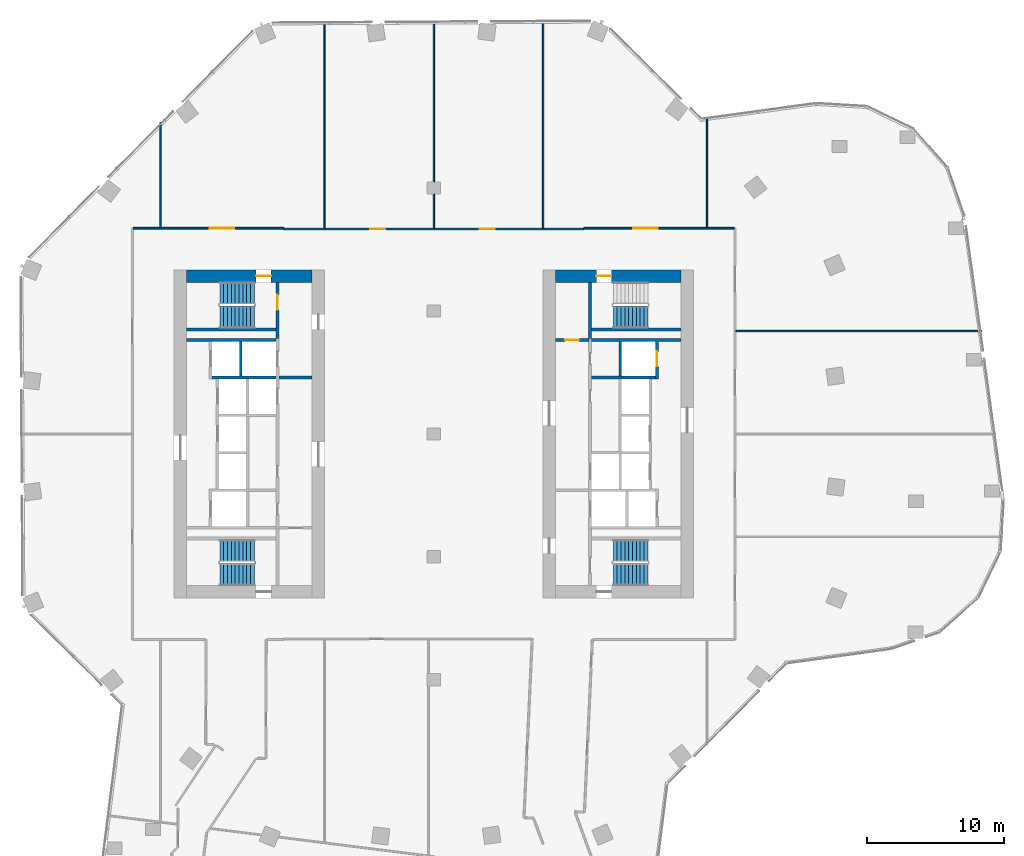
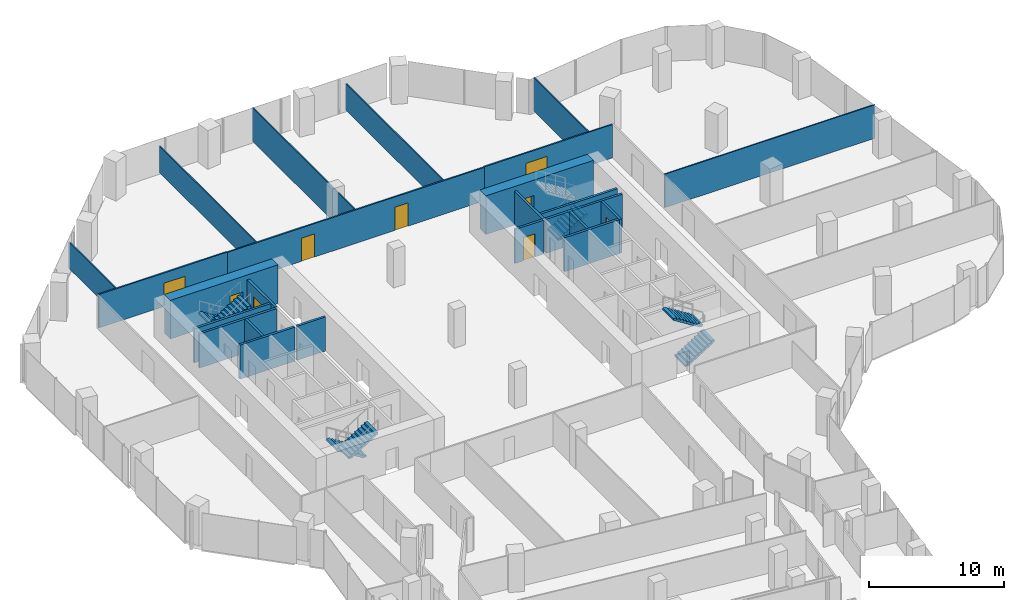
# One storey, part 22 of 27: 24 walls, 9 doors, 7 stair flights, 9 openings, 4 elements without a shape of their own.
"""IFC4 building model written with IfcOpenShell, lengths in metres."""

from ifc_helpers import new_model, si_unit, direction, frame, frame_2d, origin, place, context, subcontext, project, spatial, polyline, rectangle, outline, extrude, material, layer, layer_set, type_object, element, fill, aggregate, save


model = new_model("IFC4")

# Units and contexts
model_context = context("Model", 3, precision=1e-05, world=origin(), true_north=direction((0.0, 1.0)))
body_context = subcontext(model_context, "Body", "Model", "MODEL_VIEW")
ifc_project = project(units=[si_unit("LENGTHUNIT", "METRE"), si_unit("AREAUNIT", "SQUARE_METRE"), si_unit("VOLUMEUNIT", "CUBIC_METRE"), si_unit("PLANEANGLEUNIT", "RADIAN"), si_unit("MASSUNIT", "GRAM", prefix="KILO")], contexts=[model_context])

# Site, building, storey
site_placement = place(None, origin())
site = spatial("IfcSite", under=ifc_project, at=site_placement, CompositionType="ELEMENT")
building_placement = place(site_placement, origin())
building = spatial("IfcBuilding", under=site, at=building_placement, Name="Orlundy Tower", CompositionType="ELEMENT")
storey_placement = place(building_placement, frame((0.0, 0.0, 199.10009765625)))
storey = spatial("IfcBuildingStorey", under=building, at=storey_placement, Name="L52", CompositionType="ELEMENT", Elevation=199.10009765625)

# Wall, opening, door
ifc_material_1 = material(Name="Concrete C70/85", Category="concrete")
ifc_layer_1 = layer(ifc_material_1, 0.89990234375)
ifc_layer_set_1 = layer_set([ifc_layer_1], Name="CORE WALL 900 C70/85")
wall_type_1 = type_object("IfcWallType", Name="CORE WALL 900 C70/85", PredefinedType="SHEAR", material=ifc_layer_set_1)
wall_1_placement = place(storey_placement, frame((-18.10009765625, 11.550048828125, 0.0), z_axis=(0.0, 0.0, 1.0), x_axis=(1.0, 0.0, 0.0)))
wall_1 = element("IfcWall", 1, at=wall_1_placement, inside=storey, type_object=wall_type_1, Name="Core wall W-N L52", PredefinedType="SHEAR", context=body_context, shape_type="SweptSolid", body=[
    extrude(rectangle(XDim=9.2001953125, YDim=0.89990234375, at=frame_2d((4.60009765625, 0.0))), origin(), (0.0, 0.0, 1.0), 3.5),
])
opening_1_placement = place(wall_1_placement, frame((5.10009765625, 0.0, 0.0)))
opening_1 = element("IfcOpeningElement", 2, at=opening_1_placement, cuts=wall_1, Name="Opening 40012", PredefinedType="OPENING", context=body_context, shape_type="SweptSolid", body=[
    extrude(rectangle(XDim=1.10009765625, YDim=2.10009765625, at=frame_2d((0.550048828125, 1.050048828125))), frame((0.0, 0.4599609375, 0.0), z_axis=(0.0, -1.0, 0.0), x_axis=(1.0, 0.0, 0.0)), (0.0, 0.0, 1.0), 0.919921875),
])
ifc_material_2 = material(Name="Steel door set", Category="steel")
door_type_1 = type_object("IfcDoorType", Name="Stair Door 1100x2100", OperationType="SINGLE_SWING_LEFT", PredefinedType="DOOR", material=ifc_material_2)
door_1_placement = place(opening_1_placement, origin())
door_1 = element("IfcDoor", 3, at=door_1_placement, inside=storey, type_object=door_type_1, Name="Stair door 40012", OperationType="SINGLE_SWING_RIGHT", OverallHeight=2.10009765625, OverallWidth=1.10009765625, PredefinedType="DOOR", context=body_context, shape_type="SweptSolid", body=[
    extrude(rectangle(XDim=1.10009765625, YDim=2.10009765625, at=frame_2d((0.550048828125, 1.050048828125))), frame((0.0, 0.02490234375, 0.0), z_axis=(0.0, -1.0, 0.0), x_axis=(1.0, 0.0, 0.0)), (0.0, 0.0, 1.0), 0.050048828125),
])
fill(opening_1, door_1)

wall_2_placement = place(storey_placement, frame((8.89990234375, 11.550048828125, 0.0), z_axis=(0.0, 0.0, 1.0), x_axis=(1.0, 0.0, 0.0)))
wall_2 = element("IfcWall", 4, at=wall_2_placement, inside=storey, type_object=wall_type_1, Name="Core wall E-N L52", PredefinedType="SHEAR", context=body_context, shape_type="SweptSolid", body=[
    extrude(rectangle(XDim=9.2001953125, YDim=0.89990234375, at=frame_2d((4.60009765625, 0.0))), origin(), (0.0, 0.0, 1.0), 3.5),
])
opening_2_placement = place(wall_2_placement, frame((3.0, 0.0, 0.0)))
opening_2 = element("IfcOpeningElement", 5, at=opening_2_placement, cuts=wall_2, Name="Opening 40062", PredefinedType="OPENING", context=body_context, shape_type="SweptSolid", body=[
    extrude(rectangle(XDim=1.10009765625, YDim=2.10009765625, at=frame_2d((0.550048828125, 1.050048828125))), frame((0.0, 0.4599609375, 0.0), z_axis=(0.0, -1.0, 0.0), x_axis=(1.0, 0.0, 0.0)), (0.0, 0.0, 1.0), 0.919921875),
])
door_2_placement = place(opening_2_placement, origin())
door_2 = element("IfcDoor", 6, at=door_2_placement, inside=storey, type_object=door_type_1, Name="Stair door 40062", OperationType="SINGLE_SWING_LEFT", OverallHeight=2.10009765625, OverallWidth=1.10009765625, PredefinedType="DOOR", context=body_context, shape_type="SweptSolid", body=[
    extrude(rectangle(XDim=1.10009765625, YDim=2.10009765625, at=frame_2d((0.550048828125, 1.050048828125))), frame((0.0, 0.02490234375, 0.0), z_axis=(0.0, -1.0, 0.0), x_axis=(1.0, 0.0, 0.0)), (0.0, 0.0, 1.0), 0.050048828125),
])
fill(opening_2, door_2)

# Walls
ifc_material_3 = material(Name="Gypsum board partition")
ifc_layer_2 = layer(ifc_material_3, 0.10009765625)
ifc_layer_set_2 = layer_set([ifc_layer_2], Name="Floor partition 100")
wall_type_2 = type_object("IfcWallType", Name="Floor partition 100", PredefinedType="PARTITIONING", material=ifc_layer_set_2)
wall_3_placement = place(storey_placement, frame((22.113037109375, 7.52392578125, 0.0), z_axis=(0.0, 0.0, 1.0), x_axis=(1.0, 0.0, 0.0)))
element("IfcWall", 7, at=wall_3_placement, inside=storey, type_object=wall_type_2, Name="wall-int-L52-037", PredefinedType="PARTITIONING", context=body_context, shape_type="SweptSolid", body=[
    extrude(rectangle(XDim=17.98486328125, YDim=0.10009765625, at=frame_2d((8.992431640625, 0.0))), origin(), (0.0, 0.0, 1.0), 3.02978515625),
])
wall_4_placement = place(storey_placement, frame((20.0, 15.114013671875, 0.0), z_axis=(0.0, 0.0, 1.0), x_axis=(0.0, 1.0, 0.0)))
element("IfcWall", 8, at=wall_4_placement, inside=storey, type_object=wall_type_2, Name="wall-int-L52-066", PredefinedType="PARTITIONING", context=body_context, shape_type="SweptSolid", body=[
    extrude(rectangle(XDim=8.077880859375, YDim=0.10009765625, at=frame_2d((4.0390625, 0.0))), origin(), (0.0, 0.0, 1.0), 3.02978515625),
])
wall_5_placement = place(storey_placement, frame((0.0, 15.06298828125, 0.0), z_axis=(0.0, 0.0, 1.0), x_axis=(0.0, 1.0, 0.0)))
element("IfcWall", 9, at=wall_5_placement, inside=storey, type_object=wall_type_2, Name="wall-int-L52-069", PredefinedType="PARTITIONING", context=body_context, shape_type="SweptSolid", body=[
    extrude(rectangle(XDim=15.18798828125, YDim=0.10009765625, at=frame_2d((7.593994140625, 0.0))), origin(), (0.0, 0.0, 1.0), 3.02978515625),
])
ifc_material_4 = material(Name="Gypsum board partition")
ifc_layer_3 = layer(ifc_material_4, 0.10009765625)
ifc_layer_set_3 = layer_set([ifc_layer_3], Name="Floor partition 100 B")
wall_type_3 = type_object("IfcWallType", Name="Floor partition 100 B", PredefinedType="PARTITIONING", material=ifc_layer_set_3)
wall_6_placement = place(storey_placement, frame((8.0, 15.06298828125, 0.0), z_axis=(0.0, 0.0, 1.0), x_axis=(0.0, 1.0, 0.0)))
element("IfcWall", 10, at=wall_6_placement, inside=storey, type_object=wall_type_3, Name="wall-int-L52-067", PredefinedType="PARTITIONING", context=body_context, shape_type="SweptSolid", body=[
    extrude(rectangle(XDim=15.234130859375, YDim=0.10009765625, at=frame_2d((7.6171875, 0.0))), origin(), (0.0, 0.0, 1.0), 2.39501953125),
])
wall_7_placement = place(storey_placement, frame((-8.0, 15.06298828125, 0.0), z_axis=(0.0, 0.0, 1.0), x_axis=(0.0, 1.0, 0.0)))
element("IfcWall", 11, at=wall_7_placement, inside=storey, type_object=wall_type_3, Name="wall-int-L52-072", PredefinedType="PARTITIONING", context=body_context, shape_type="SweptSolid", body=[
    extrude(rectangle(XDim=15.14111328125, YDim=0.10009765625, at=frame_2d((7.570556640625, 0.0))), origin(), (0.0, 0.0, 1.0), 2.39501953125),
])
wall_8_placement = place(storey_placement, frame((-20.0, 15.114013671875, 0.0), z_axis=(0.0, 0.0, 1.0), x_axis=(0.0, 1.0, 0.0)))
element("IfcWall", 12, at=wall_8_placement, inside=storey, type_object=wall_type_3, Name="wall-int-L52-076", PredefinedType="PARTITIONING", context=body_context, shape_type="SweptSolid", body=[
    extrude(rectangle(XDim=7.68310546875, YDim=0.10009765625, at=frame_2d((3.841552734375, 0.0))), origin(), (0.0, 0.0, 1.0), 2.39501953125),
])

# Wall, openings, doors
ifc_material_5 = material(Name="Gypsum board partition, double layer")
ifc_layer_4 = layer(ifc_material_5, 0.125)
ifc_layer_set_4 = layer_set([ifc_layer_4], Name="Floor partition 125")
wall_type_4 = type_object("IfcWallType", Name="Floor partition 125", PredefinedType="PARTITIONING", material=ifc_layer_set_4)
wall_9_placement = place(storey_placement, frame((-10.989990234375, 15.0009765625, 0.0), z_axis=(0.0, 0.0, 1.0), x_axis=(1.0, 0.0, 0.0)))
wall_9 = element("IfcWall", 13, at=wall_9_placement, inside=storey, type_object=wall_type_4, Name="wall-int-L52-038", PredefinedType="PARTITIONING", context=body_context, shape_type="SweptSolid", body=[
    extrude(rectangle(XDim=21.97998046875, YDim=0.125, at=frame_2d((10.989990234375, 0.0))), origin(), (0.0, 0.0, 1.0), 3.02978515625),
])
opening_3_placement = place(wall_9_placement, frame((14.340087890625, 0.0, 0.0)))
opening_3 = element("IfcOpeningElement", 14, at=opening_3_placement, cuts=wall_9, Name="Opening 40123", PredefinedType="OPENING", context=body_context, shape_type="SweptSolid", body=[
    extrude(rectangle(XDim=1.10009765625, YDim=2.10009765625, at=frame_2d((0.550048828125, 1.050048828125))), frame((0.0, 0.072509765625, 0.0), z_axis=(0.0, -1.0, 0.0), x_axis=(1.0, 0.0, 0.0)), (0.0, 0.0, 1.0), 0.14501953125),
])
opening_4_placement = place(wall_9_placement, frame((6.340087890625, 0.0, 0.0)))
opening_4 = element("IfcOpeningElement", 15, at=opening_4_placement, cuts=wall_9, Name="Opening 40124", PredefinedType="OPENING", context=body_context, shape_type="SweptSolid", body=[
    extrude(rectangle(XDim=1.10009765625, YDim=2.10009765625, at=frame_2d((0.550048828125, 1.050048828125))), frame((0.0, 0.072509765625, 0.0), z_axis=(0.0, -1.0, 0.0), x_axis=(1.0, 0.0, 0.0)), (0.0, 0.0, 1.0), 0.14501953125),
])
ifc_material_6 = material(Name="Timber door leaf", Category="wood")
door_type_2 = type_object("IfcDoorType", Name="Floor door xwide 1100 FD30S", OperationType="NOTDEFINED", PredefinedType="DOOR", material=ifc_material_6)
door_3_placement = place(opening_3_placement, origin())
door_3 = element("IfcDoor", 16, at=door_3_placement, inside=storey, type_object=door_type_2, Name="Door 40123", OperationType="SINGLE_SWING_RIGHT", OverallHeight=2.10009765625, OverallWidth=1.10009765625, PredefinedType="DOOR", context=body_context, shape_type="SweptSolid", body=[
    extrude(rectangle(XDim=1.10009765625, YDim=2.10009765625, at=frame_2d((0.550048828125, 1.050048828125))), frame((0.0, 0.02490234375, 0.0), z_axis=(0.0, -1.0, 0.0), x_axis=(1.0, 0.0, 0.0)), (0.0, 0.0, 1.0), 0.050048828125),
])
fill(opening_3, door_3)
door_4_placement = place(opening_4_placement, origin())
door_4 = element("IfcDoor", 17, at=door_4_placement, inside=storey, type_object=door_type_2, Name="Door 40124", OperationType="SINGLE_SWING_LEFT", OverallHeight=2.10009765625, OverallWidth=1.10009765625, PredefinedType="DOOR", context=body_context, shape_type="SweptSolid", body=[
    extrude(rectangle(XDim=1.10009765625, YDim=2.10009765625, at=frame_2d((0.550048828125, 1.050048828125))), frame((0.0, 0.02490234375, 0.0), z_axis=(0.0, -1.0, 0.0), x_axis=(1.0, 0.0, 0.0)), (0.0, 0.0, 1.0), 0.050048828125),
])
fill(opening_4, door_4)

# Wall, opening, door
wall_10_placement = place(storey_placement, frame((-21.988037109375, 15.051025390625, 0.0), z_axis=(0.0, 0.0, 1.0), x_axis=(1.0, 0.0, 0.0)))
wall_10 = element("IfcWall", 18, at=wall_10_placement, inside=storey, type_object=wall_type_4, Name="wall-int-L52-039", PredefinedType="PARTITIONING", context=body_context, shape_type="SweptSolid", body=[
    extrude(rectangle(XDim=10.9970703125, YDim=0.125, at=frame_2d((5.49853515625, 0.0))), origin(), (0.0, 0.0, 1.0), 3.02978515625),
])
opening_5_placement = place(wall_10_placement, frame((5.58740234375, 0.0, 0.0)))
opening_5 = element("IfcOpeningElement", 19, at=opening_5_placement, cuts=wall_10, Name="Opening 40125", PredefinedType="OPENING", context=body_context, shape_type="SweptSolid", body=[
    extrude(rectangle(XDim=1.800048828125, YDim=2.10009765625, at=frame_2d((0.89990234375, 1.050048828125))), frame((0.0, 0.072509765625, 0.0), z_axis=(0.0, -1.0, 0.0), x_axis=(1.0, 0.0, 0.0)), (0.0, 0.0, 1.0), 0.14501953125),
])
ifc_material_7 = material(Name="Timber door leaf", Category="wood")
door_type_3 = type_object("IfcDoorType", Name="Floor door double 1800 FD30S", OperationType="NOTDEFINED", PredefinedType="DOOR", material=ifc_material_7)
door_5_placement = place(opening_5_placement, origin())
door_5 = element("IfcDoor", 20, at=door_5_placement, inside=storey, type_object=door_type_3, Name="Door 40125", OperationType="DOUBLE_DOOR_SINGLE_SWING", OverallHeight=2.10009765625, OverallWidth=1.800048828125, PredefinedType="DOOR", context=body_context, shape_type="SweptSolid", body=[
    extrude(rectangle(XDim=1.800048828125, YDim=2.10009765625, at=frame_2d((0.89990234375, 1.050048828125))), frame((0.0, 0.02490234375, 0.0), z_axis=(0.0, -1.0, 0.0), x_axis=(1.0, 0.0, 0.0)), (0.0, 0.0, 1.0), 0.050048828125),
])
fill(opening_5, door_5)

wall_11_placement = place(storey_placement, frame((10.990966796875, 15.051025390625, 0.0), z_axis=(0.0, 0.0, 1.0), x_axis=(1.0, 0.0, 0.0)))
wall_11 = element("IfcWall", 21, at=wall_11_placement, inside=storey, type_object=wall_type_4, Name="wall-int-L52-040", PredefinedType="PARTITIONING", context=body_context, shape_type="SweptSolid", body=[
    extrude(rectangle(XDim=10.9970703125, YDim=0.125, at=frame_2d((5.49853515625, 0.0))), origin(), (0.0, 0.0, 1.0), 3.02978515625),
])
opening_6_placement = place(wall_11_placement, frame((3.60009765625, 0.0, 0.0)))
opening_6 = element("IfcOpeningElement", 22, at=opening_6_placement, cuts=wall_11, Name="Opening 40122", PredefinedType="OPENING", context=body_context, shape_type="SweptSolid", body=[
    extrude(rectangle(XDim=1.800048828125, YDim=2.10009765625, at=frame_2d((0.89990234375, 1.050048828125))), frame((0.0, 0.072509765625, 0.0), z_axis=(0.0, -1.0, 0.0), x_axis=(1.0, 0.0, 0.0)), (0.0, 0.0, 1.0), 0.14501953125),
])
door_6_placement = place(opening_6_placement, origin())
door_6 = element("IfcDoor", 23, at=door_6_placement, inside=storey, type_object=door_type_3, Name="Door 40122", OperationType="DOUBLE_DOOR_SINGLE_SWING", OverallHeight=2.10009765625, OverallWidth=1.800048828125, PredefinedType="DOOR", context=body_context, shape_type="SweptSolid", body=[
    extrude(rectangle(XDim=1.800048828125, YDim=2.10009765625, at=frame_2d((0.89990234375, 1.050048828125))), frame((0.0, 0.02490234375, 0.0), z_axis=(0.0, -1.0, 0.0), x_axis=(1.0, 0.0, 0.0)), (0.0, 0.0, 1.0), 0.050048828125),
])
fill(opening_6, door_6)

ifc_material_8 = material(Name="Concrete C40/50", Category="concrete")
ifc_layer_5 = layer(ifc_material_8, 0.199951171875)
ifc_layer_set_5 = layer_set([ifc_layer_5], Name="Load-bearing Shaft Wall 200")
wall_type_5 = type_object("IfcWallType", Name="Load-bearing Shaft Wall 200", PredefinedType="SOLIDWALL", material=ifc_layer_set_5)
wall_12_placement = place(storey_placement, frame((-11.43994140625, 6.97509765625, 0.0), z_axis=(0.0, 0.0, 1.0), x_axis=(0.0, 1.0, 0.0)))
wall_12 = element("IfcWall", 24, at=wall_12_placement, inside=storey, type_object=wall_type_5, Name="Shaft wall W40-stair-end-n", PredefinedType="SOLIDWALL", context=body_context, shape_type="SweptSolid", body=[
    extrude(rectangle(XDim=4.125, YDim=0.199951171875, at=frame_2d((2.0625, 0.0))), origin(), (0.0, 0.0, 1.0), 3.079833984375),
])
opening_7_placement = place(wall_12_placement, frame((2.10009765625, 0.0, 0.0)))
opening_7 = element("IfcOpeningElement", 25, at=opening_7_placement, cuts=wall_12, Name="Opening 40014", PredefinedType="OPENING", context=body_context, shape_type="SweptSolid", body=[
    extrude(rectangle(XDim=1.10009765625, YDim=2.10009765625, at=frame_2d((0.550048828125, 1.050048828125))), frame((0.0, 0.110107421875, 0.0), z_axis=(0.0, -1.0, 0.0), x_axis=(1.0, 0.0, 0.0)), (0.0, 0.0, 1.0), 0.22021484375),
])
ifc_material_9 = material(Name="Steel door set", Category="steel")
door_type_4 = type_object("IfcDoorType", Name="Fire-fighting Lobby Door 1100x2100", OperationType="SINGLE_SWING_LEFT", PredefinedType="DOOR", material=ifc_material_9)
door_7_placement = place(opening_7_placement, origin())
door_7 = element("IfcDoor", 26, at=door_7_placement, inside=storey, type_object=door_type_4, Name="Fire-fighting lobby to stair door 40014", OperationType="SINGLE_SWING_RIGHT", OverallHeight=2.10009765625, OverallWidth=1.10009765625, PredefinedType="DOOR", context=body_context, shape_type="SweptSolid", body=[
    extrude(rectangle(XDim=1.10009765625, YDim=2.10009765625, at=frame_2d((0.550048828125, 1.050048828125))), frame((0.0, 0.02490234375, 0.0), z_axis=(0.0, -1.0, 0.0), x_axis=(1.0, 0.0, 0.0)), (0.0, 0.0, 1.0), 0.050048828125),
])
fill(opening_7, door_7)

# Walls
for number, where, z_axis, x_axis, name in (
    (27, (-11.5400390625, 7.64990234375, 0.0), (0.0, 0.0, 1.0), (-1.0, 0.0, 0.0), "Shaft wall W40-stair-side-n"),
    (28, (11.5400390625, 6.875, 0.0), (0.0, 0.0, 1.0), (1.0, 0.0, 0.0), "Shaft wall E40-zone-s"),
):
    element("IfcWall", number, at=place(storey_placement, frame(where, z_axis=z_axis, x_axis=x_axis)), inside=storey, type_object=wall_type_5, Name=name, PredefinedType="SOLIDWALL", context=body_context, shape_type="SweptSolid", body=[
        extrude(rectangle(XDim=6.56005859375, YDim=0.199951171875, at=frame_2d((3.280029296875, 0.0))), origin(), (0.0, 0.0, 1.0), 3.079833984375),
    ])
wall_13_placement = place(storey_placement, frame((11.5400390625, 4.125, 0.0), z_axis=(0.0, 0.0, 1.0), x_axis=(1.0, 0.0, 0.0)))
element("IfcWall", 29, at=wall_13_placement, inside=storey, type_object=wall_type_5, Name="Shaft wall E40-cross-4.125", PredefinedType="SOLIDWALL", context=body_context, shape_type="SweptSolid", body=[
    extrude(rectangle(XDim=4.699951171875, YDim=0.199951171875, at=frame_2d((2.35009765625, 0.0))), origin(), (0.0, 0.0, 1.0), 3.079833984375),
])
wall_14_placement = place(storey_placement, frame((13.639892578125, 6.77490234375, 0.0), z_axis=(0.0, 0.0, 1.0), x_axis=(0.0, -1.0, 0.0)))
element("IfcWall", 30, at=wall_14_placement, inside=storey, type_object=wall_type_5, Name="Shaft wall E40-mid-a", PredefinedType="SOLIDWALL", context=body_context, shape_type="SweptSolid", body=[
    extrude(rectangle(XDim=2.5498046875, YDim=0.199951171875, at=frame_2d((1.27490234375, 0.0))), origin(), (0.0, 0.0, 1.0), 3.079833984375),
])
wall_15_placement = place(storey_placement, frame((11.43994140625, 11.10009765625, 0.0), z_axis=(0.0, 0.0, 1.0), x_axis=(0.0, -1.0, 0.0)))
element("IfcWall", 31, at=wall_15_placement, inside=storey, type_object=wall_type_5, Name="Shaft wall E40-stair-end-s", PredefinedType="SOLIDWALL", context=body_context, shape_type="SweptSolid", body=[
    extrude(rectangle(XDim=4.125, YDim=0.199951171875, at=frame_2d((2.0625, 0.0))), origin(), (0.0, 0.0, 1.0), 3.079833984375),
])
wall_16_placement = place(storey_placement, frame((11.5400390625, 7.64990234375, 0.0), z_axis=(0.0, 0.0, 1.0), x_axis=(1.0, 0.0, 0.0)))
element("IfcWall", 32, at=wall_16_placement, inside=storey, type_object=wall_type_5, Name="Shaft wall E40-stair-side-s", PredefinedType="SOLIDWALL", context=body_context, shape_type="SweptSolid", body=[
    extrude(rectangle(XDim=6.56005859375, YDim=0.199951171875, at=frame_2d((3.280029296875, 0.0))), origin(), (0.0, 0.0, 1.0), 3.079833984375),
])
ifc_material_10 = material(Name="Gypsum board partition on steel studs", Category="steel")
ifc_layer_6 = layer(ifc_material_10, 0.199951171875)
ifc_layer_set_6 = layer_set([ifc_layer_6], Name="Partition 200")
wall_type_6 = type_object("IfcWallType", Name="Partition 200", PredefinedType="PARTITIONING", material=ifc_layer_set_6)
wall_17_placement = place(storey_placement, frame((-8.89990234375, 4.125, 0.0), z_axis=(0.0, 0.0, 1.0), x_axis=(-1.0, 0.0, 0.0)))
element("IfcWall", 33, at=wall_17_placement, inside=storey, type_object=wall_type_6, Name="Partition wall W40-lobby-n", PredefinedType="PARTITIONING", context=body_context, shape_type="SweptSolid", body=[
    extrude(rectangle(XDim=2.440185546875, YDim=0.199951171875, at=frame_2d((1.22021484375, 0.0))), origin(), (0.0, 0.0, 1.0), 3.079833984375),
])

# Wall, opening, door
wall_18_placement = place(storey_placement, frame((8.89990234375, 6.875, 0.0), z_axis=(0.0, 0.0, 1.0), x_axis=(1.0, 0.0, 0.0)))
wall_18 = element("IfcWall", 34, at=wall_18_placement, inside=storey, type_object=wall_type_6, Name="Partition wall E40-end-s", PredefinedType="PARTITIONING", context=body_context, shape_type="SweptSolid", body=[
    extrude(rectangle(XDim=2.440185546875, YDim=0.199951171875, at=frame_2d((1.22021484375, 0.0))), origin(), (0.0, 0.0, 1.0), 3.079833984375),
])
opening_8_placement = place(wall_18_placement, frame((0.719970703125, 0.0, 0.0)))
opening_8 = element("IfcOpeningElement", 35, at=opening_8_placement, cuts=wall_18, Name="Opening 40064", PredefinedType="OPENING", context=body_context, shape_type="SweptSolid", body=[
    extrude(rectangle(XDim=1.0, YDim=2.10009765625, at=frame_2d((0.5, 1.050048828125))), frame((0.0, 0.110107421875, 0.0), z_axis=(0.0, -1.0, 0.0), x_axis=(1.0, 0.0, 0.0)), (0.0, 0.0, 1.0), 0.22021484375),
])
ifc_material_11 = material(Name="Timber door set", Category="wood")
door_type_5 = type_object("IfcDoorType", Name="Accessible Door 1000x2100", OperationType="SINGLE_SWING_LEFT", PredefinedType="DOOR", material=ifc_material_11)
door_8_placement = place(opening_8_placement, origin())
door_8 = element("IfcDoor", 36, at=door_8_placement, inside=storey, type_object=door_type_5, Name="Accessible WC door 40064", OperationType="SINGLE_SWING_RIGHT", OverallHeight=2.10009765625, OverallWidth=1.0, PredefinedType="DOOR", context=body_context, shape_type="SweptSolid", body=[
    extrude(rectangle(XDim=1.0, YDim=2.10009765625, at=frame_2d((0.5, 1.050048828125))), frame((0.0, 0.02490234375, 0.0), z_axis=(0.0, -1.0, 0.0), x_axis=(1.0, 0.0, 0.0)), (0.0, 0.0, 1.0), 0.050048828125),
])
fill(opening_8, door_8)

# Walls
ifc_material_12 = material(Name="Fire-rated blockwork shaft wall", Category="masonry")
ifc_layer_7 = layer(ifc_material_12, 0.199951171875)
ifc_layer_set_7 = layer_set([ifc_layer_7], Name="Shaft Wall 200")
wall_type_7 = type_object("IfcWallType", Name="Shaft Wall 200", PredefinedType="SOLIDWALL", material=ifc_layer_set_7)
wall_19_placement = place(storey_placement, frame((-11.5400390625, 6.875, 0.0), z_axis=(0.0, 0.0, 1.0), x_axis=(-1.0, 0.0, 0.0)))
element("IfcWall", 37, at=wall_19_placement, inside=storey, type_object=wall_type_7, Name="Shaft wall W40-zone-n", PredefinedType="SOLIDWALL", context=body_context, shape_type="SweptSolid", body=[
    extrude(rectangle(XDim=6.56005859375, YDim=0.199951171875, at=frame_2d((3.280029296875, 0.0))), origin(), (0.0, 0.0, 1.0), 3.079833984375),
])
wall_20_placement = place(storey_placement, frame((-11.5400390625, 4.125, 0.0), z_axis=(0.0, 0.0, 1.0), x_axis=(-1.0, 0.0, 0.0)))
element("IfcWall", 38, at=wall_20_placement, inside=storey, type_object=wall_type_7, Name="Shaft wall W40-cross+4.125", PredefinedType="SOLIDWALL", context=body_context, shape_type="SweptSolid", body=[
    extrude(rectangle(XDim=4.699951171875, YDim=0.199951171875, at=frame_2d((2.35009765625, 0.0))), origin(), (0.0, 0.0, 1.0), 3.079833984375),
])
wall_21_placement = place(storey_placement, frame((-14.139892578125, 4.22509765625, 0.0), z_axis=(0.0, 0.0, 1.0), x_axis=(0.0, 1.0, 0.0)))
element("IfcWall", 39, at=wall_21_placement, inside=storey, type_object=wall_type_7, Name="Shaft wall W40-mid-b", PredefinedType="SOLIDWALL", context=body_context, shape_type="SweptSolid", body=[
    extrude(rectangle(XDim=2.5498046875, YDim=0.199951171875, at=frame_2d((1.27490234375, 0.0))), origin(), (0.0, 0.0, 1.0), 3.079833984375),
])

# Wall, opening, door
wall_22_placement = place(storey_placement, frame((16.340087890625, 6.77490234375, 0.0), z_axis=(0.0, 0.0, 1.0), x_axis=(0.0, -1.0, 0.0)))
wall_22 = element("IfcWall", 40, at=wall_22_placement, inside=storey, type_object=wall_type_7, Name="Shaft wall E40-front-o-a", PredefinedType="SOLIDWALL", context=body_context, shape_type="SweptSolid", body=[
    extrude(rectangle(XDim=2.75, YDim=0.199951171875, at=frame_2d((1.375, 0.0))), origin(), (0.0, 0.0, 1.0), 3.079833984375),
])
opening_9_placement = place(wall_22_placement, frame((0.72509765625, 0.0, 0.0)))
opening_9 = element("IfcOpeningElement", 41, at=opening_9_placement, cuts=wall_22, Name="Opening 40050", PredefinedType="OPENING", context=body_context, shape_type="SweptSolid", body=[
    extrude(rectangle(XDim=1.10009765625, YDim=2.10009765625, at=frame_2d((0.550048828125, 1.050048828125))), frame((0.0, 0.110107421875, 0.0), z_axis=(0.0, -1.0, 0.0), x_axis=(1.0, 0.0, 0.0)), (0.0, 0.0, 1.0), 0.22021484375),
])
ifc_material_13 = material(Name="Steel door set", Category="steel")
door_type_6 = type_object("IfcDoorType", Name="Landing Door 1100x2100", OperationType="DOUBLE_DOOR_SLIDING", PredefinedType="DOOR", material=ifc_material_13)
door_9_placement = place(opening_9_placement, origin())
door_9 = element("IfcDoor", 42, at=door_9_placement, inside=storey, type_object=door_type_6, Name="Lift landing door LV-02 40050", OperationType="DOUBLE_DOOR_SLIDING", OverallHeight=2.10009765625, OverallWidth=1.10009765625, PredefinedType="DOOR", context=body_context, shape_type="SweptSolid", body=[
    extrude(rectangle(XDim=1.10009765625, YDim=2.10009765625, at=frame_2d((0.550048828125, 1.050048828125))), frame((0.0, 0.02490234375, 0.0), z_axis=(0.0, -1.0, 0.0), x_axis=(1.0, 0.0, 0.0)), (0.0, 0.0, 1.0), 0.050048828125),
])
fill(opening_9, door_9)

# Stair, stair flights
ifc_material_14 = material(Name="Concrete C50/60", Category="concrete")
stair_type = type_object("IfcStairType", Name="Exit Stair 20 risers", PredefinedType="HALF_TURN_STAIR", material=ifc_material_14)
stair_1_placement = place(storey_placement, origin())
stair_1 = element("IfcStair", 43, at=stair_1_placement, inside=storey, type_object=stair_type, Name="L52 Exit Stair ST-W1", PredefinedType="HALF_TURN_STAIR")
ifc_material_15 = material(Name="Concrete C50/60", Category="concrete")
stair_flight_type = type_object("IfcStairFlightType", Name="Stair Flight 10 risers", PredefinedType="STRAIGHT", material=ifc_material_15)
stair_flight_1_placement = place(storey_placement, frame((-13.139892578125, 10.300048828125, 0.0), z_axis=(0.0, 0.0, 1.0), x_axis=(-1.0, 0.0, 0.0)))
stair_flight_1 = element("IfcStairFlight", 44, at=stair_flight_1_placement, type_object=stair_flight_type, Name="ST-W1 flight 1", NumberOfRisers=10, NumberOfTreads=9, PredefinedType="STRAIGHT", RiserHeight=0.175, TreadLength=0.28, context=body_context, shape_type="SweptSolid", body=[
    extrude(outline(polyline([(0.0, 0.0), (0.0, 0.175048828125), (0.280029296875, 0.175048828125), (0.280029296875, 0.35009765625), (0.56005859375, 0.35009765625), (0.56005859375, 0.52490234375), (0.840087890625, 0.52490234375), (0.840087890625, 0.699951171875), (1.1201171875, 0.699951171875), (1.1201171875, 0.875), (1.39990234375, 0.875), (1.39990234375, 1.050048828125), (1.679931640625, 1.050048828125), (1.679931640625, 1.22509765625), (1.9599609375, 1.22509765625), (1.9599609375, 1.39990234375), (2.239990234375, 1.39990234375), (2.239990234375, 1.574951171875), (2.52001953125, 1.574951171875), (2.52001953125, 1.75), (2.52001953125, 1.398193359375), (0.28271484375, 0.0), (0.0, 0.0)])), frame((0.0, 0.800048828125, 0.0), z_axis=(0.0, -1.0, 0.0), x_axis=(1.0, 0.0, 0.0)), (0.0, 0.0, 1.0), 1.60009765625),
])
stair_flight_2_placement = place(storey_placement, frame((-15.659912109375, 8.550048828125, 1.75), z_axis=(0.0, 0.0, 1.0), x_axis=(1.0, 0.0, 0.0)))
stair_flight_2 = element("IfcStairFlight", 45, at=stair_flight_2_placement, type_object=stair_flight_type, Name="ST-W1 flight 2", NumberOfRisers=10, NumberOfTreads=9, PredefinedType="STRAIGHT", RiserHeight=0.175, TreadLength=0.28, context=body_context, shape_type="SweptSolid", body=[
    extrude(outline(polyline([(0.0, 0.0), (0.0, 0.175048828125), (0.280029296875, 0.175048828125), (0.280029296875, 0.35009765625), (0.56005859375, 0.35009765625), (0.56005859375, 0.52490234375), (0.840087890625, 0.52490234375), (0.840087890625, 0.699951171875), (1.1201171875, 0.699951171875), (1.1201171875, 0.875), (1.39990234375, 0.875), (1.39990234375, 1.050048828125), (1.679931640625, 1.050048828125), (1.679931640625, 1.22509765625), (1.9599609375, 1.22509765625), (1.9599609375, 1.39990234375), (2.239990234375, 1.39990234375), (2.239990234375, 1.574951171875), (2.52001953125, 1.574951171875), (2.52001953125, 1.75), (2.52001953125, 1.398193359375), (0.28271484375, 0.0), (0.0, 0.0)])), frame((0.0, 0.800048828125, 0.0), z_axis=(0.0, -1.0, 0.0), x_axis=(1.0, 0.0, 0.0)), (0.0, 0.0, 1.0), 1.60009765625),
])
aggregate(stair_1, [stair_flight_1, stair_flight_2])

stair_2_placement = place(storey_placement, origin())
stair_2 = element("IfcStair", 46, at=stair_2_placement, inside=storey, type_object=stair_type, Name="L52 Exit Stair ST-W2", PredefinedType="HALF_TURN_STAIR")
stair_flight_3_placement = place(storey_placement, frame((-13.139892578125, -8.550048828125, 0.0), z_axis=(0.0, 0.0, 1.0), x_axis=(-1.0, 0.0, 0.0)))
stair_flight_3 = element("IfcStairFlight", 47, at=stair_flight_3_placement, type_object=stair_flight_type, Name="ST-W2 flight 1", NumberOfRisers=10, NumberOfTreads=9, PredefinedType="STRAIGHT", RiserHeight=0.175, TreadLength=0.28, context=body_context, shape_type="SweptSolid", body=[
    extrude(outline(polyline([(0.0, 0.0), (0.0, 0.175048828125), (0.280029296875, 0.175048828125), (0.280029296875, 0.35009765625), (0.56005859375, 0.35009765625), (0.56005859375, 0.52490234375), (0.840087890625, 0.52490234375), (0.840087890625, 0.699951171875), (1.1201171875, 0.699951171875), (1.1201171875, 0.875), (1.39990234375, 0.875), (1.39990234375, 1.050048828125), (1.679931640625, 1.050048828125), (1.679931640625, 1.22509765625), (1.9599609375, 1.22509765625), (1.9599609375, 1.39990234375), (2.239990234375, 1.39990234375), (2.239990234375, 1.574951171875), (2.52001953125, 1.574951171875), (2.52001953125, 1.75), (2.52001953125, 1.398193359375), (0.28271484375, 0.0), (0.0, 0.0)])), frame((0.0, 0.800048828125, 0.0), z_axis=(0.0, -1.0, 0.0), x_axis=(1.0, 0.0, 0.0)), (0.0, 0.0, 1.0), 1.60009765625),
])
stair_flight_4_placement = place(storey_placement, frame((-15.659912109375, -10.300048828125, 1.75), z_axis=(0.0, 0.0, 1.0), x_axis=(1.0, 0.0, 0.0)))
stair_flight_4 = element("IfcStairFlight", 48, at=stair_flight_4_placement, type_object=stair_flight_type, Name="ST-W2 flight 2", NumberOfRisers=10, NumberOfTreads=9, PredefinedType="STRAIGHT", RiserHeight=0.175, TreadLength=0.28, context=body_context, shape_type="SweptSolid", body=[
    extrude(outline(polyline([(0.0, 0.0), (0.0, 0.175048828125), (0.280029296875, 0.175048828125), (0.280029296875, 0.35009765625), (0.56005859375, 0.35009765625), (0.56005859375, 0.52490234375), (0.840087890625, 0.52490234375), (0.840087890625, 0.699951171875), (1.1201171875, 0.699951171875), (1.1201171875, 0.875), (1.39990234375, 0.875), (1.39990234375, 1.050048828125), (1.679931640625, 1.050048828125), (1.679931640625, 1.22509765625), (1.9599609375, 1.22509765625), (1.9599609375, 1.39990234375), (2.239990234375, 1.39990234375), (2.239990234375, 1.574951171875), (2.52001953125, 1.574951171875), (2.52001953125, 1.75), (2.52001953125, 1.398193359375), (0.28271484375, 0.0), (0.0, 0.0)])), frame((0.0, 0.800048828125, 0.0), z_axis=(0.0, -1.0, 0.0), x_axis=(1.0, 0.0, 0.0)), (0.0, 0.0, 1.0), 1.60009765625),
])
aggregate(stair_2, [stair_flight_3, stair_flight_4])

stair_3_placement = place(storey_placement, origin())
stair_3 = element("IfcStair", 49, at=stair_3_placement, inside=storey, type_object=stair_type, Name="L52 Exit Stair ST-E1", PredefinedType="HALF_TURN_STAIR")
stair_flight_5_placement = place(storey_placement, frame((13.139892578125, -10.300048828125, 0.0), z_axis=(0.0, 0.0, 1.0), x_axis=(1.0, 0.0, 0.0)))
stair_flight_5 = element("IfcStairFlight", 50, at=stair_flight_5_placement, type_object=stair_flight_type, Name="ST-E1 flight 1", NumberOfRisers=10, NumberOfTreads=9, PredefinedType="STRAIGHT", RiserHeight=0.175, TreadLength=0.28, context=body_context, shape_type="SweptSolid", body=[
    extrude(outline(polyline([(0.0, 0.0), (0.0, 0.175048828125), (0.280029296875, 0.175048828125), (0.280029296875, 0.35009765625), (0.56005859375, 0.35009765625), (0.56005859375, 0.52490234375), (0.840087890625, 0.52490234375), (0.840087890625, 0.699951171875), (1.1201171875, 0.699951171875), (1.1201171875, 0.875), (1.39990234375, 0.875), (1.39990234375, 1.050048828125), (1.679931640625, 1.050048828125), (1.679931640625, 1.22509765625), (1.9599609375, 1.22509765625), (1.9599609375, 1.39990234375), (2.239990234375, 1.39990234375), (2.239990234375, 1.574951171875), (2.52001953125, 1.574951171875), (2.52001953125, 1.75), (2.52001953125, 1.398193359375), (0.28271484375, 0.0), (0.0, 0.0)])), frame((0.0, 0.800048828125, 0.0), z_axis=(0.0, -1.0, 0.0), x_axis=(1.0, 0.0, 0.0)), (0.0, 0.0, 1.0), 1.60009765625),
])
stair_flight_6_placement = place(storey_placement, frame((15.659912109375, -8.550048828125, 1.75), z_axis=(0.0, 0.0, 1.0), x_axis=(-1.0, 0.0, 0.0)))
stair_flight_6 = element("IfcStairFlight", 51, at=stair_flight_6_placement, type_object=stair_flight_type, Name="ST-E1 flight 2", NumberOfRisers=10, NumberOfTreads=9, PredefinedType="STRAIGHT", RiserHeight=0.175, TreadLength=0.28, context=body_context, shape_type="SweptSolid", body=[
    extrude(outline(polyline([(0.0, 0.0), (0.0, 0.175048828125), (0.280029296875, 0.175048828125), (0.280029296875, 0.35009765625), (0.56005859375, 0.35009765625), (0.56005859375, 0.52490234375), (0.840087890625, 0.52490234375), (0.840087890625, 0.699951171875), (1.1201171875, 0.699951171875), (1.1201171875, 0.875), (1.39990234375, 0.875), (1.39990234375, 1.050048828125), (1.679931640625, 1.050048828125), (1.679931640625, 1.22509765625), (1.9599609375, 1.22509765625), (1.9599609375, 1.39990234375), (2.239990234375, 1.39990234375), (2.239990234375, 1.574951171875), (2.52001953125, 1.574951171875), (2.52001953125, 1.75), (2.52001953125, 1.398193359375), (0.28271484375, 0.0), (0.0, 0.0)])), frame((0.0, 0.800048828125, 0.0), z_axis=(0.0, -1.0, 0.0), x_axis=(1.0, 0.0, 0.0)), (0.0, 0.0, 1.0), 1.60009765625),
])
aggregate(stair_3, [stair_flight_5, stair_flight_6])

# Stair, stair flight
stair_4_placement = place(storey_placement, origin())
stair_4 = element("IfcStair", 52, at=stair_4_placement, inside=storey, type_object=stair_type, Name="L52 Exit Stair ST-E2", PredefinedType="HALF_TURN_STAIR")
stair_flight_7_placement = place(storey_placement, frame((13.139892578125, 8.550048828125, 0.0), z_axis=(0.0, 0.0, 1.0), x_axis=(1.0, 0.0, 0.0)))
stair_flight_7 = element("IfcStairFlight", 53, at=stair_flight_7_placement, type_object=stair_flight_type, Name="ST-E2 flight 1", NumberOfRisers=10, NumberOfTreads=9, PredefinedType="STRAIGHT", RiserHeight=0.175, TreadLength=0.28, context=body_context, shape_type="SweptSolid", body=[
    extrude(outline(polyline([(0.0, 0.0), (0.0, 0.175048828125), (0.280029296875, 0.175048828125), (0.280029296875, 0.35009765625), (0.56005859375, 0.35009765625), (0.56005859375, 0.52490234375), (0.840087890625, 0.52490234375), (0.840087890625, 0.699951171875), (1.1201171875, 0.699951171875), (1.1201171875, 0.875), (1.39990234375, 0.875), (1.39990234375, 1.050048828125), (1.679931640625, 1.050048828125), (1.679931640625, 1.22509765625), (1.9599609375, 1.22509765625), (1.9599609375, 1.39990234375), (2.239990234375, 1.39990234375), (2.239990234375, 1.574951171875), (2.52001953125, 1.574951171875), (2.52001953125, 1.75), (2.52001953125, 1.398193359375), (0.28271484375, 0.0), (0.0, 0.0)])), frame((0.0, 0.800048828125, 0.0), z_axis=(0.0, -1.0, 0.0), x_axis=(1.0, 0.0, 0.0)), (0.0, 0.0, 1.0), 1.60009765625),
])
aggregate(stair_4, [stair_flight_7])

save(model, "model.ifc")
